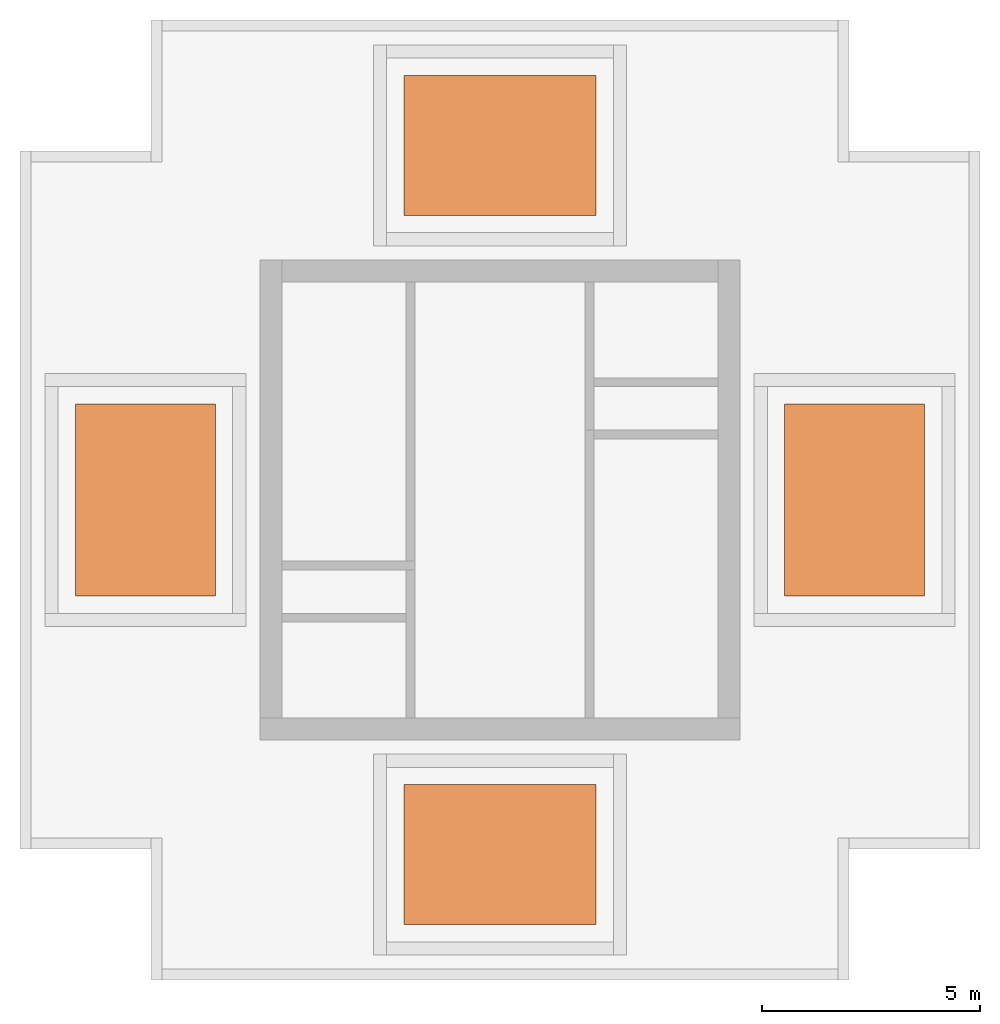
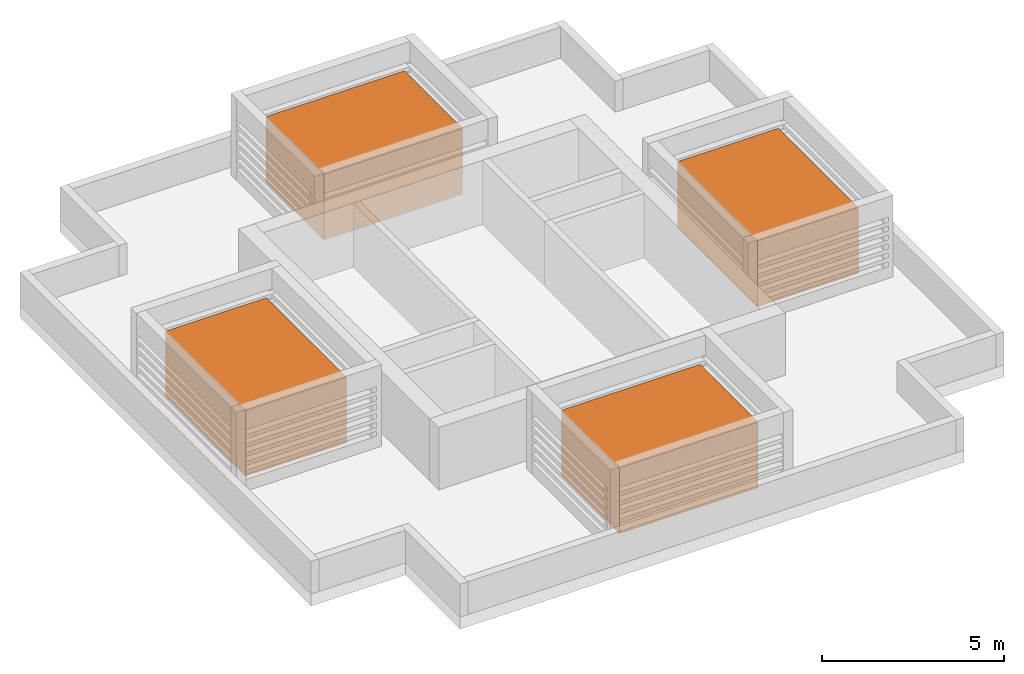
# One storey, part 3 of 3: 4 proxies.
"""IFC4 building model written with IfcOpenShell, lengths in metres."""

from ifc_helpers import new_model, si_unit, direction, frame, origin, origin_2d, place, context, subcontext, project, spatial, rectangle, extrude, element, save


model = new_model("IFC4")

# Units and contexts
model_context = context("Model", 3, precision=1e-05, world=origin(), true_north=direction((0.0, 1.0)))
body_context = subcontext(model_context, "Body", "Model", "MODEL_VIEW")
ifc_project = project(units=[si_unit("LENGTHUNIT", "METRE"), si_unit("AREAUNIT", "SQUARE_METRE"), si_unit("VOLUMEUNIT", "CUBIC_METRE"), si_unit("PLANEANGLEUNIT", "RADIAN"), si_unit("MASSUNIT", "GRAM", prefix="KILO")], contexts=[model_context])

# Site, building, storey
site_placement = place(None, origin())
site = spatial("IfcSite", under=ifc_project, at=site_placement, CompositionType="ELEMENT")
building_placement = place(site_placement, origin())
building = spatial("IfcBuilding", under=site, at=building_placement, Name="Khepri Terraces", CompositionType="ELEMENT")
storey_placement = place(building_placement, frame((0.0, 0.0, 321.60009765625)))
storey = spatial("IfcBuildingStorey", under=building, at=storey_placement, Name="RF", CompositionType="ELEMENT", Elevation=321.60009765625)

# Proxies
for number, where, z_axis, x_axis, name in (
    (1, (8.125, 0.0, 0.0), (0.0, 0.0, 1.0), (1.0, 0.0, 0.0), "Roof plant unit 1"),
    (2, (-8.125, 0.0, 0.0), (0.0, 0.0, 1.0), (1.0, 0.0, 0.0), "Roof plant unit 2"),
):
    element("IfcBuildingElementProxy", number, at=place(storey_placement, frame(where, z_axis=z_axis, x_axis=x_axis)), inside=storey, Name=name, PredefinedType="NOTDEFINED", context=body_context, shape_type="SweptSolid", body=[
        extrude(rectangle(XDim=3.199951171875, YDim=4.39990234375, at=origin_2d()), origin(), (0.0, 0.0, 1.0), 2.199951171875),
    ])
for number, where, z_axis, x_axis, name in (
    (3, (0.0, 8.125, 0.0), (0.0, 0.0, 1.0), (1.0, 0.0, 0.0), "Roof plant unit 3"),
    (4, (0.0, -8.125, 0.0), (0.0, 0.0, 1.0), (1.0, 0.0, 0.0), "Roof plant unit 4"),
):
    element("IfcBuildingElementProxy", number, at=place(storey_placement, frame(where, z_axis=z_axis, x_axis=x_axis)), inside=storey, Name=name, PredefinedType="NOTDEFINED", context=body_context, shape_type="SweptSolid", body=[
        extrude(rectangle(XDim=4.39990234375, YDim=3.199951171875, at=origin_2d()), origin(), (0.0, 0.0, 1.0), 2.199951171875),
    ])

save(model, "model.ifc")
